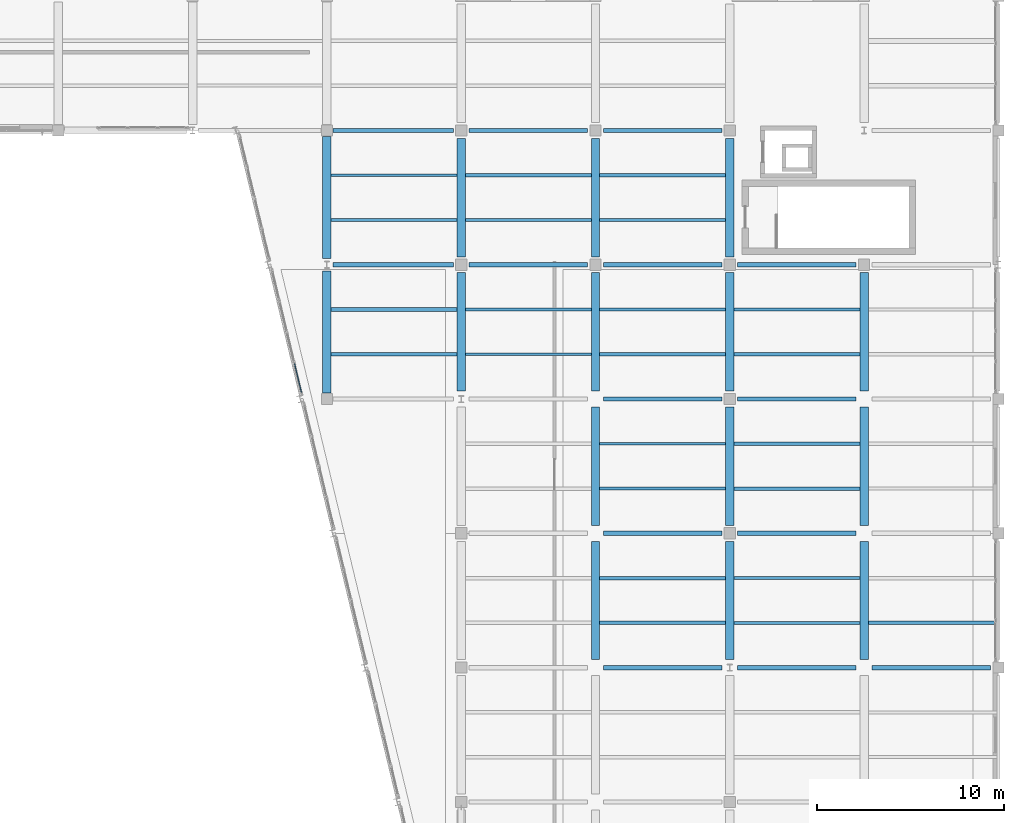
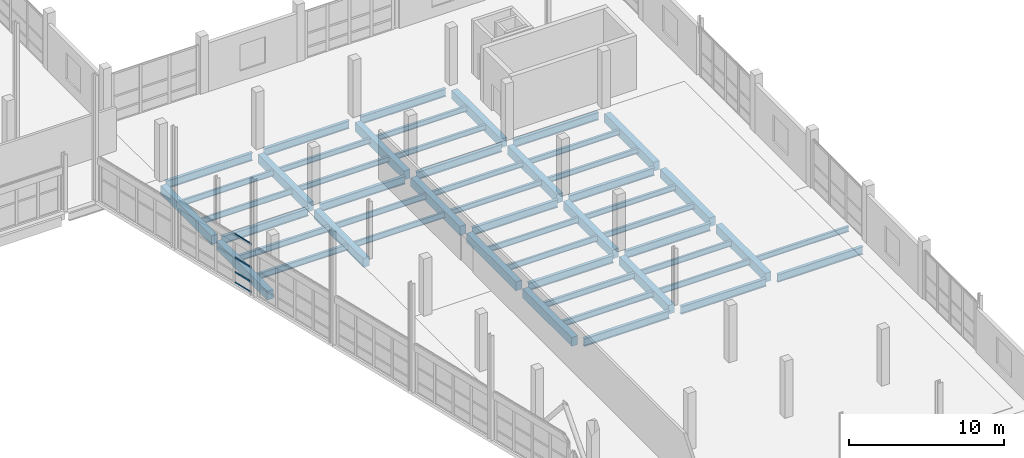
# One storey, part 66 of 123: 52 beams, 4 members, 1 element without a shape of its own.
"""IFC4 building model written with IfcOpenShell, lengths in metres."""

from ifc_helpers import new_model, si_unit, direction, frame, origin, origin_2d, place, context, subcontext, project, spatial, rectangle, hollow_rectangle, i_section, extrude, material, material_profile, profile_set, type_object, element, aggregate, save


model = new_model("IFC4")

# Units and contexts
model_context = context("Model", 3, precision=1e-05, world=origin(), true_north=direction((0.0, 1.0)))
body_context = subcontext(model_context, "Body", "Model", "MODEL_VIEW")
ifc_project = project(units=[si_unit("LENGTHUNIT", "METRE"), si_unit("AREAUNIT", "SQUARE_METRE"), si_unit("VOLUMEUNIT", "CUBIC_METRE"), si_unit("PLANEANGLEUNIT", "RADIAN"), si_unit("MASSUNIT", "GRAM", prefix="KILO")], contexts=[model_context])

# Site, building, storey
site_placement = place(None, origin())
site = spatial("IfcSite", under=ifc_project, at=site_placement, CompositionType="ELEMENT")
building_placement = place(site_placement, origin())
building = spatial("IfcBuilding", under=site, at=building_placement, Name="Kalmorath City Hall", CompositionType="ELEMENT")
storey_placement = place(building_placement, frame((0.0, 0.0, 10.199951171875)))
storey = spatial("IfcBuildingStorey", under=building, at=storey_placement, Name="L02", CompositionType="ELEMENT", Elevation=10.199951171875)

# Beams
ifc_material_1 = material(Name="Concrete C40/50", Category="concrete")
ifc_material_profile_1 = material_profile(ifc_material_1, rectangle(XDim=0.449951171875, YDim=0.699951171875, at=origin_2d()), Name="RC-BM-450X700")
ifc_profile_set_1 = profile_set([ifc_material_profile_1], Name="Concrete C40/50")
beam_type_1 = type_object("IfcBeamType", Name="Concrete floor beam 450x700", PredefinedType="BEAM", material=ifc_profile_set_1)
beam_1_placement = place(storey_placement, frame((129.60009765625, 79.52490234375, -0.634033203125), z_axis=(0.0, 1.0, 0.0), x_axis=(-1.0, 0.0, 0.0)))
element("IfcBeam", 1, at=beam_1_placement, inside=storey, type_object=beam_type_1, Name="L02 girder CB4 Y19/12-13", PredefinedType="BEAM", context=body_context, shape_type="SweptSolid", body=[
    extrude(rectangle(XDim=0.449951171875, YDim=0.699951171875, at=origin_2d()), origin(), (0.0, 0.0, 1.0), 6.550048828125),
])
beam_2_placement = place(storey_placement, frame((129.60009765625, 86.72509765625, -0.634033203125), z_axis=(0.0, 1.0, 0.0), x_axis=(-1.0, 0.0, 0.0)))
element("IfcBeam", 2, at=beam_2_placement, inside=storey, type_object=beam_type_1, Name="L02 girder CB4 Y19/13-14", PredefinedType="BEAM", context=body_context, shape_type="SweptSolid", body=[
    extrude(rectangle(XDim=0.449951171875, YDim=0.699951171875, at=origin_2d()), origin(), (0.0, 0.0, 1.0), 6.5498046875),
])
for number, where, z_axis, x_axis, name in (
    (3, (136.800048828125, 79.625, -0.634033203125), (0.0, 1.0, 0.0), (-1.0, 0.0, 0.0), "L02 girder CB4 Y20/12-13"),
    (4, (136.800048828125, 86.824951171875, -0.634033203125), (0.0, 1.0, 0.0), (-1.0, 0.0, 0.0), "L02 girder CB4 Y20/13-14"),
):
    element("IfcBeam", number, at=place(storey_placement, frame(where, z_axis=z_axis, x_axis=x_axis)), inside=storey, type_object=beam_type_1, Name=name, PredefinedType="BEAM", context=body_context, shape_type="SweptSolid", body=[
        extrude(rectangle(XDim=0.449951171875, YDim=0.699951171875, at=origin_2d()), origin(), (0.0, 0.0, 1.0), 6.35009765625),
    ])
for number, where, z_axis, x_axis, name in (
    (5, (144.0, 65.22509765625, -0.634033203125), (0.0, 1.0, 0.0), (-1.0, 0.0, 0.0), "L02 girder CB4 Y21/10-11"),
    (6, (144.0, 72.425048828125, -0.634033203125), (0.0, 1.0, 0.0), (-1.0, 0.0, 0.0), "L02 girder CB4 Y21/11-12"),
):
    element("IfcBeam", number, at=place(storey_placement, frame(where, z_axis=z_axis, x_axis=x_axis)), inside=storey, type_object=beam_type_1, Name=name, PredefinedType="BEAM", context=body_context, shape_type="SweptSolid", body=[
        extrude(rectangle(XDim=0.449951171875, YDim=0.699951171875, at=origin_2d()), origin(), (0.0, 0.0, 1.0), 6.349853515625),
    ])
for number, where, z_axis, x_axis, name in (
    (7, (144.0, 79.625, -0.634033203125), (0.0, 1.0, 0.0), (-1.0, 0.0, 0.0), "L02 girder CB4 Y21/12-13"),
    (8, (144.0, 86.824951171875, -0.634033203125), (0.0, 1.0, 0.0), (-1.0, 0.0, 0.0), "L02 girder CB4 Y21/13-14"),
):
    element("IfcBeam", number, at=place(storey_placement, frame(where, z_axis=z_axis, x_axis=x_axis)), inside=storey, type_object=beam_type_1, Name=name, PredefinedType="BEAM", context=body_context, shape_type="SweptSolid", body=[
        extrude(rectangle(XDim=0.449951171875, YDim=0.699951171875, at=origin_2d()), origin(), (0.0, 0.0, 1.0), 6.35009765625),
    ])
for number, where, z_axis, x_axis, name in (
    (9, (151.199951171875, 65.22509765625, -0.634033203125), (0.0, 1.0, 0.0), (-1.0, 0.0, 0.0), "L02 girder CB4 Y22/10-11"),
    (10, (151.199951171875, 72.425048828125, -0.634033203125), (0.0, 1.0, 0.0), (-1.0, 0.0, 0.0), "L02 girder CB4 Y22/11-12"),
):
    element("IfcBeam", number, at=place(storey_placement, frame(where, z_axis=z_axis, x_axis=x_axis)), inside=storey, type_object=beam_type_1, Name=name, PredefinedType="BEAM", context=body_context, shape_type="SweptSolid", body=[
        extrude(rectangle(XDim=0.449951171875, YDim=0.699951171875, at=origin_2d()), origin(), (0.0, 0.0, 1.0), 6.349853515625),
    ])
for number, where, z_axis, x_axis, name in (
    (11, (151.199951171875, 79.625, -0.634033203125), (0.0, 1.0, 0.0), (-1.0, 0.0, 0.0), "L02 girder CB4 Y22/12-13"),
    (12, (151.199951171875, 86.824951171875, -0.634033203125), (0.0, 1.0, 0.0), (-1.0, 0.0, 0.0), "L02 girder CB4 Y22/13-14"),
):
    element("IfcBeam", number, at=place(storey_placement, frame(where, z_axis=z_axis, x_axis=x_axis)), inside=storey, type_object=beam_type_1, Name=name, PredefinedType="BEAM", context=body_context, shape_type="SweptSolid", body=[
        extrude(rectangle(XDim=0.449951171875, YDim=0.699951171875, at=origin_2d()), origin(), (0.0, 0.0, 1.0), 6.35009765625),
    ])
for number, where, z_axis, x_axis, name in (
    (13, (158.39990234375, 65.22509765625, -0.634033203125), (0.0, 1.0, 0.0), (-1.0, 0.0, 0.0), "L02 girder CB4 Y23/10-11"),
    (14, (158.39990234375, 72.425048828125, -0.634033203125), (0.0, 1.0, 0.0), (-1.0, 0.0, 0.0), "L02 girder CB4 Y23/11-12"),
):
    element("IfcBeam", number, at=place(storey_placement, frame(where, z_axis=z_axis, x_axis=x_axis)), inside=storey, type_object=beam_type_1, Name=name, PredefinedType="BEAM", context=body_context, shape_type="SweptSolid", body=[
        extrude(rectangle(XDim=0.449951171875, YDim=0.699951171875, at=origin_2d()), origin(), (0.0, 0.0, 1.0), 6.349853515625),
    ])
beam_3_placement = place(storey_placement, frame((158.39990234375, 79.625, -0.634033203125), z_axis=(0.0, 1.0, 0.0), x_axis=(-1.0, 0.0, 0.0)))
element("IfcBeam", 15, at=beam_3_placement, inside=storey, type_object=beam_type_1, Name="L02 girder CB4 Y23/12-13", PredefinedType="BEAM", context=body_context, shape_type="SweptSolid", body=[
    extrude(rectangle(XDim=0.449951171875, YDim=0.699951171875, at=origin_2d()), origin(), (0.0, 0.0, 1.0), 6.35009765625),
])

# Curtain wall, members
ifc_material_2 = material(Name="Anodised aluminium and laminated glass", Category="aluminium")
curtain_wall_type = type_object("IfcCurtainWallType", Name="Unitised hurricane curtain wall 6849x3835 M1850", PredefinedType="NOTDEFINED", material=ifc_material_2)
curtain_wall_placement = place(storey_placement, origin())
curtain_wall = element("IfcCurtainWall", 16, at=curtain_wall_placement, inside=storey, type_object=curtain_wall_type, Name="L02 curtain wall CW-68X38M18 #130", PredefinedType="NOTDEFINED")
ifc_material_3 = material(Name="Anodised aluminium framing", Category="aluminium")
ifc_material_profile_2 = material_profile(ifc_material_3, hollow_rectangle(XDim=0.06005859375, YDim=0.1298828125, WallThickness=0.00341796875, InnerFilletRadius=0.00341796875, OuterFilletRadius=0.007080078125, at=origin_2d()), Name="ALU-TRN-130X60X3.5")
ifc_profile_set_2 = profile_set([ifc_material_profile_2], Name="Anodised aluminium framing")
member_type = type_object("IfcMemberType", Name="Curtain-wall courtyard transom 130x60", PredefinedType="USERDEFINED", material=ifc_profile_set_2)
member_1_placement = place(storey_placement, frame((128.239013671875, 79.54296875, 0.030029296875), z_axis=(-0.233332550128, 0.972396997656, 0.0), x_axis=(-0.972396997656, -0.233332550128, 0.0)))
member_1 = element("IfcMember", 17, at=member_1_placement, type_object=member_type, Name="CW-68X38M18 transom 1.1", ObjectType="TRANSOM", PredefinedType="USERDEFINED", context=body_context, shape_type="SweptSolid", body=[
    extrude(hollow_rectangle(XDim=0.06005859375, YDim=0.1298828125, WallThickness=0.00341796875, InnerFilletRadius=0.00341796875, OuterFilletRadius=0.007080078125, at=origin_2d()), origin(), (0.0, 0.0, 1.0), 1.599853515625),
])
member_2_placement = place(storey_placement, frame((128.239013671875, 79.54296875, 0.85009765625), z_axis=(-0.233332550128, 0.972396997656, 0.0), x_axis=(-0.972396997656, -0.233332550128, 0.0)))
member_2 = element("IfcMember", 18, at=member_2_placement, type_object=member_type, Name="CW-68X38M18 transom 1.2", ObjectType="TRANSOM", PredefinedType="USERDEFINED", context=body_context, shape_type="SweptSolid", body=[
    extrude(hollow_rectangle(XDim=0.06005859375, YDim=0.1298828125, WallThickness=0.00341796875, InnerFilletRadius=0.00341796875, OuterFilletRadius=0.007080078125, at=origin_2d()), origin(), (0.0, 0.0, 1.0), 1.599853515625),
])
member_3_placement = place(storey_placement, frame((128.239013671875, 79.54296875, 1.994140625), z_axis=(-0.233332550128, 0.972396997656, 0.0), x_axis=(-0.972396997656, -0.233332550128, 0.0)))
member_3 = element("IfcMember", 19, at=member_3_placement, type_object=member_type, Name="CW-68X38M18 transom 1.3", ObjectType="TRANSOM", PredefinedType="USERDEFINED", context=body_context, shape_type="SweptSolid", body=[
    extrude(hollow_rectangle(XDim=0.06005859375, YDim=0.1298828125, WallThickness=0.00341796875, InnerFilletRadius=0.00341796875, OuterFilletRadius=0.007080078125, at=origin_2d()), origin(), (0.0, 0.0, 1.0), 1.599853515625),
])
member_4_placement = place(storey_placement, frame((128.239013671875, 79.54296875, 3.804931640625), z_axis=(-0.233332550128, 0.972396997656, 0.0), x_axis=(-0.972396997656, -0.233332550128, 0.0)))
member_4 = element("IfcMember", 20, at=member_4_placement, type_object=member_type, Name="CW-68X38M18 transom 1.4", ObjectType="TRANSOM", PredefinedType="USERDEFINED", context=body_context, shape_type="SweptSolid", body=[
    extrude(hollow_rectangle(XDim=0.06005859375, YDim=0.1298828125, WallThickness=0.00341796875, InnerFilletRadius=0.00341796875, OuterFilletRadius=0.007080078125, at=origin_2d()), origin(), (0.0, 0.0, 1.0), 1.599853515625),
])
aggregate(curtain_wall, [member_1, member_2, member_3, member_4])

# Beams
ifc_material_4 = material(Name="Steel ASTM A992 Grade 50", Category="steel")
ifc_material_profile_3 = material_profile(ifc_material_4, i_section(OverallWidth=0.178955078125, OverallDepth=0.409912109375, WebThickness=0.0087890625, FlangeThickness=0.014404296875, FilletRadius=0.012939453125, at=origin_2d()), Name="W16X45")
ifc_profile_set_3 = profile_set([ifc_material_profile_3], Name="Steel ASTM A992 Grade 50")
beam_type_2 = type_object("IfcBeamType", Name="Steel composite joist W16X45", PredefinedType="JOIST", material=ifc_profile_set_3)
for number, where, z_axis, x_axis, name in (
    (21, (144.22509765625, 88.800048828125, -0.489013671875), (1.0, 0.0, 0.0), (0.0, 1.0, 0.0), "L02 joist SJ6 21.13.1"),
    (22, (144.22509765625, 91.199951171875, -0.489013671875), (1.0, 0.0, 0.0), (0.0, 1.0, 0.0), "L02 joist SJ6 21.13.2"),
    (23, (151.425048828125, 81.60009765625, -0.489013671875), (1.0, 0.0, 0.0), (0.0, 1.0, 0.0), "L02 joist SJ6 22.12.1"),
    (24, (151.425048828125, 84.0, -0.489013671875), (1.0, 0.0, 0.0), (0.0, 1.0, 0.0), "L02 joist SJ6 22.12.2"),
):
    element("IfcBeam", number, at=place(storey_placement, frame(where, z_axis=z_axis, x_axis=x_axis)), inside=storey, type_object=beam_type_2, Name=name, PredefinedType="JOIST", context=body_context, shape_type="SweptSolid", body=[
        extrude(i_section(OverallWidth=0.178955078125, OverallDepth=0.409912109375, WebThickness=0.0087890625, FlangeThickness=0.014404296875, FilletRadius=0.012939453125, at=origin_2d()), origin(), (0.0, 0.0, 1.0), 6.75),
    ])
ifc_material_5 = material(Name="Steel ASTM A992 Grade 50", Category="steel")
ifc_material_profile_4 = material_profile(ifc_material_5, i_section(OverallWidth=0.180908203125, OverallDepth=0.4169921875, WebThickness=0.010986328125, FlangeThickness=0.018310546875, FilletRadius=0.012939453125, at=origin_2d()), Name="W16X57")
ifc_profile_set_4 = profile_set([ifc_material_profile_4], Name="Steel ASTM A992 Grade 50")
beam_type_3 = type_object("IfcBeamType", Name="Steel composite joist W16X57", PredefinedType="JOIST", material=ifc_profile_set_4)
for number, where, z_axis, x_axis, name in (
    (25, (137.02490234375, 88.800048828125, -0.492431640625), (1.0, 0.0, 0.0), (0.0, 1.0, 0.0), "L02 joist SJ5 20.13.1"),
    (26, (137.02490234375, 91.199951171875, -0.492431640625), (1.0, 0.0, 0.0), (0.0, 1.0, 0.0), "L02 joist SJ5 20.13.2"),
    (27, (144.22509765625, 81.60009765625, -0.492431640625), (1.0, 0.0, 0.0), (0.0, 1.0, 0.0), "L02 joist SJ5 21.12.1"),
    (28, (144.22509765625, 84.0, -0.492431640625), (1.0, 0.0, 0.0), (0.0, 1.0, 0.0), "L02 joist SJ5 21.12.2"),
    (29, (151.425048828125, 74.39990234375, -0.492431640625), (1.0, 0.0, 0.0), (0.0, 1.0, 0.0), "L02 joist SJ5 22.11.1"),
    (30, (151.425048828125, 76.800048828125, -0.492431640625), (1.0, 0.0, 0.0), (0.0, 1.0, 0.0), "L02 joist SJ5 22.11.2"),
):
    element("IfcBeam", number, at=place(storey_placement, frame(where, z_axis=z_axis, x_axis=x_axis)), inside=storey, type_object=beam_type_3, Name=name, PredefinedType="JOIST", context=body_context, shape_type="SweptSolid", body=[
        extrude(i_section(OverallWidth=0.180908203125, OverallDepth=0.4169921875, WebThickness=0.010986328125, FlangeThickness=0.018310546875, FilletRadius=0.012939453125, at=origin_2d()), origin(), (0.0, 0.0, 1.0), 6.75),
    ])
beam_4_placement = place(storey_placement, frame((158.625, 67.199951171875, -0.492431640625), z_axis=(1.0, 0.0, 0.0), x_axis=(0.0, 1.0, 0.0)))
element("IfcBeam", 31, at=beam_4_placement, inside=storey, type_object=beam_type_3, Name="L02 joist SJ5 23.10.1", PredefinedType="JOIST", context=body_context, shape_type="SweptSolid", body=[
    extrude(i_section(OverallWidth=0.180908203125, OverallDepth=0.4169921875, WebThickness=0.010986328125, FlangeThickness=0.018310546875, FilletRadius=0.012939453125, at=origin_2d()), origin(), (0.0, 0.0, 1.0), 6.892578125),
])
ifc_material_6 = material(Name="Steel ASTM A992 Grade 50", Category="steel")
ifc_material_profile_5 = material_profile(ifc_material_6, i_section(OverallWidth=0.153076171875, OverallDepth=0.455078125, WebThickness=0.008056640625, FlangeThickness=0.01318359375, FilletRadius=0.013916015625, at=origin_2d()), Name="W18X40")
ifc_profile_set_5 = profile_set([ifc_material_profile_5], Name="Steel ASTM A992 Grade 50")
beam_type_4 = type_object("IfcBeamType", Name="Steel composite joist W18X40", PredefinedType="JOIST", material=ifc_profile_set_5)
for number, where, z_axis, x_axis, name in (
    (32, (129.824951171875, 88.800048828125, -0.511474609375), (1.0, 0.0, 0.0), (0.0, 1.0, 0.0), "L02 joist SJ4 19.13.1"),
    (33, (129.824951171875, 91.199951171875, -0.511474609375), (1.0, 0.0, 0.0), (0.0, 1.0, 0.0), "L02 joist SJ4 19.13.2"),
    (34, (137.02490234375, 81.60009765625, -0.511474609375), (1.0, 0.0, 0.0), (0.0, 1.0, 0.0), "L02 joist SJ4 20.12.1"),
    (35, (137.02490234375, 84.0, -0.511474609375), (1.0, 0.0, 0.0), (0.0, 1.0, 0.0), "L02 joist SJ4 20.12.2"),
    (36, (144.22509765625, 74.39990234375, -0.511474609375), (1.0, 0.0, 0.0), (0.0, 1.0, 0.0), "L02 joist SJ4 21.11.1"),
    (37, (144.22509765625, 76.800048828125, -0.511474609375), (1.0, 0.0, 0.0), (0.0, 1.0, 0.0), "L02 joist SJ4 21.11.2"),
    (38, (151.425048828125, 67.199951171875, -0.511474609375), (1.0, 0.0, 0.0), (0.0, 1.0, 0.0), "L02 joist SJ4 22.10.1"),
    (39, (151.425048828125, 69.60009765625, -0.511474609375), (1.0, 0.0, 0.0), (0.0, 1.0, 0.0), "L02 joist SJ4 22.10.2"),
):
    element("IfcBeam", number, at=place(storey_placement, frame(where, z_axis=z_axis, x_axis=x_axis)), inside=storey, type_object=beam_type_4, Name=name, PredefinedType="JOIST", context=body_context, shape_type="SweptSolid", body=[
        extrude(i_section(OverallWidth=0.153076171875, OverallDepth=0.455078125, WebThickness=0.008056640625, FlangeThickness=0.01318359375, FilletRadius=0.013916015625, at=origin_2d()), origin(), (0.0, 0.0, 1.0), 6.75),
    ])
ifc_material_7 = material(Name="Steel ASTM A992 Grade 50", Category="steel")
ifc_material_profile_6 = material_profile(ifc_material_7, i_section(OverallWidth=0.19091796875, OverallDepth=0.45703125, WebThickness=0.009033203125, FlangeThickness=0.014404296875, FilletRadius=0.013916015625, at=origin_2d()), Name="W18X50")
ifc_profile_set_6 = profile_set([ifc_material_profile_6], Name="Steel ASTM A992 Grade 50")
beam_type_5 = type_object("IfcBeamType", Name="Steel composite joist W18X50", PredefinedType="JOIST", material=ifc_profile_set_6)
for number, where, z_axis, x_axis, name in (
    (40, (129.824951171875, 81.60009765625, -0.512451171875), (1.0, 0.0, 0.0), (0.0, 1.0, 0.0), "L02 joist SJ3 19.12.1"),
    (41, (129.824951171875, 84.0, -0.512451171875), (1.0, 0.0, 0.0), (0.0, 1.0, 0.0), "L02 joist SJ3 19.12.2"),
    (42, (144.22509765625, 67.199951171875, -0.512451171875), (1.0, 0.0, 0.0), (0.0, 1.0, 0.0), "L02 joist SJ3 21.10.1"),
    (43, (144.22509765625, 69.60009765625, -0.512451171875), (1.0, 0.0, 0.0), (0.0, 1.0, 0.0), "L02 joist SJ3 21.10.2"),
):
    element("IfcBeam", number, at=place(storey_placement, frame(where, z_axis=z_axis, x_axis=x_axis)), inside=storey, type_object=beam_type_5, Name=name, PredefinedType="JOIST", context=body_context, shape_type="SweptSolid", body=[
        extrude(i_section(OverallWidth=0.19091796875, OverallDepth=0.45703125, WebThickness=0.009033203125, FlangeThickness=0.014404296875, FilletRadius=0.013916015625, at=origin_2d()), origin(), (0.0, 0.0, 1.0), 6.75),
    ])
ifc_material_8 = material(Name="Steel ASTM A992 Grade 50", Category="steel")
ifc_material_profile_7 = material_profile(ifc_material_8, i_section(OverallWidth=0.22900390625, OverallDepth=0.612060546875, WebThickness=0.011962890625, FlangeThickness=0.01953125, FilletRadius=0.01611328125, at=origin_2d()), Name="W24X84")
ifc_profile_set_7 = profile_set([ifc_material_profile_7], Name="Steel ASTM A992 Grade 50")
beam_type_6 = type_object("IfcBeamType", Name="Steel floor girder W24X84", PredefinedType="BEAM", material=ifc_profile_set_7)
beam_5_placement = place(storey_placement, frame((144.425048828125, 64.800048828125, -0.58984375), z_axis=(1.0, 0.0, 0.0), x_axis=(0.0, 1.0, 0.0)))
element("IfcBeam", 44, at=beam_5_placement, inside=storey, type_object=beam_type_6, Name="L02 girder SG8 X21-22/10", PredefinedType="BEAM", context=body_context, shape_type="SweptSolid", body=[
    extrude(i_section(OverallWidth=0.22900390625, OverallDepth=0.612060546875, WebThickness=0.011962890625, FlangeThickness=0.01953125, FilletRadius=0.01611328125, at=origin_2d()), origin(), (0.0, 0.0, 1.0), 6.349853515625),
])
for number, where, z_axis, x_axis, name in (
    (45, (151.625, 64.800048828125, -0.58984375), (1.0, 0.0, 0.0), (0.0, 1.0, 0.0), "L02 girder SG8 X22-23/10"),
    (46, (158.824951171875, 64.800048828125, -0.58984375), (1.0, 0.0, 0.0), (0.0, 1.0, 0.0), "L02 girder SG8 X23-24/10"),
):
    element("IfcBeam", number, at=place(storey_placement, frame(where, z_axis=z_axis, x_axis=x_axis)), inside=storey, type_object=beam_type_6, Name=name, PredefinedType="BEAM", context=body_context, shape_type="SweptSolid", body=[
        extrude(i_section(OverallWidth=0.22900390625, OverallDepth=0.612060546875, WebThickness=0.011962890625, FlangeThickness=0.01953125, FilletRadius=0.01611328125, at=origin_2d()), origin(), (0.0, 0.0, 1.0), 6.35009765625),
    ])
beam_6_placement = place(storey_placement, frame((144.425048828125, 72.0, -0.58984375), z_axis=(1.0, 0.0, 0.0), x_axis=(0.0, 1.0, 0.0)))
element("IfcBeam", 47, at=beam_6_placement, inside=storey, type_object=beam_type_6, Name="L02 girder SG8 X21-22/11", PredefinedType="BEAM", context=body_context, shape_type="SweptSolid", body=[
    extrude(i_section(OverallWidth=0.22900390625, OverallDepth=0.612060546875, WebThickness=0.011962890625, FlangeThickness=0.01953125, FilletRadius=0.01611328125, at=origin_2d()), origin(), (0.0, 0.0, 1.0), 6.349853515625),
])
beam_7_placement = place(storey_placement, frame((151.625, 72.0, -0.58984375), z_axis=(1.0, 0.0, 0.0), x_axis=(0.0, 1.0, 0.0)))
element("IfcBeam", 48, at=beam_7_placement, inside=storey, type_object=beam_type_6, Name="L02 girder SG8 X22-23/11", PredefinedType="BEAM", context=body_context, shape_type="SweptSolid", body=[
    extrude(i_section(OverallWidth=0.22900390625, OverallDepth=0.612060546875, WebThickness=0.011962890625, FlangeThickness=0.01953125, FilletRadius=0.01611328125, at=origin_2d()), origin(), (0.0, 0.0, 1.0), 6.35009765625),
])
beam_8_placement = place(storey_placement, frame((144.425048828125, 79.199951171875, -0.58984375), z_axis=(1.0, 0.0, 0.0), x_axis=(0.0, 1.0, 0.0)))
element("IfcBeam", 49, at=beam_8_placement, inside=storey, type_object=beam_type_6, Name="L02 girder SG8 X21-22/12", PredefinedType="BEAM", context=body_context, shape_type="SweptSolid", body=[
    extrude(i_section(OverallWidth=0.22900390625, OverallDepth=0.612060546875, WebThickness=0.011962890625, FlangeThickness=0.01953125, FilletRadius=0.01611328125, at=origin_2d()), origin(), (0.0, 0.0, 1.0), 6.349853515625),
])
beam_9_placement = place(storey_placement, frame((151.625, 79.199951171875, -0.58984375), z_axis=(1.0, 0.0, 0.0), x_axis=(0.0, 1.0, 0.0)))
element("IfcBeam", 50, at=beam_9_placement, inside=storey, type_object=beam_type_6, Name="L02 girder SG8 X22-23/12", PredefinedType="BEAM", context=body_context, shape_type="SweptSolid", body=[
    extrude(i_section(OverallWidth=0.22900390625, OverallDepth=0.612060546875, WebThickness=0.011962890625, FlangeThickness=0.01953125, FilletRadius=0.01611328125, at=origin_2d()), origin(), (0.0, 0.0, 1.0), 6.35009765625),
])
beam_10_placement = place(storey_placement, frame((129.925048828125, 86.39990234375, -0.58984375), z_axis=(1.0, 0.0, 0.0), x_axis=(0.0, 1.0, 0.0)))
element("IfcBeam", 51, at=beam_10_placement, inside=storey, type_object=beam_type_6, Name="L02 girder SG8 X19-20/13", PredefinedType="BEAM", context=body_context, shape_type="SweptSolid", body=[
    extrude(i_section(OverallWidth=0.22900390625, OverallDepth=0.612060546875, WebThickness=0.011962890625, FlangeThickness=0.01953125, FilletRadius=0.01611328125, at=origin_2d()), origin(), (0.0, 0.0, 1.0), 6.449951171875),
])
for number, where, z_axis, x_axis, name in (
    (52, (137.22509765625, 86.39990234375, -0.58984375), (1.0, 0.0, 0.0), (0.0, 1.0, 0.0), "L02 girder SG8 X20-21/13"),
    (53, (144.425048828125, 86.39990234375, -0.58984375), (1.0, 0.0, 0.0), (0.0, 1.0, 0.0), "L02 girder SG8 X21-22/13"),
):
    element("IfcBeam", number, at=place(storey_placement, frame(where, z_axis=z_axis, x_axis=x_axis)), inside=storey, type_object=beam_type_6, Name=name, PredefinedType="BEAM", context=body_context, shape_type="SweptSolid", body=[
        extrude(i_section(OverallWidth=0.22900390625, OverallDepth=0.612060546875, WebThickness=0.011962890625, FlangeThickness=0.01953125, FilletRadius=0.01611328125, at=origin_2d()), origin(), (0.0, 0.0, 1.0), 6.349853515625),
    ])
beam_11_placement = place(storey_placement, frame((151.625, 86.39990234375, -0.58984375), z_axis=(1.0, 0.0, 0.0), x_axis=(0.0, 1.0, 0.0)))
element("IfcBeam", 54, at=beam_11_placement, inside=storey, type_object=beam_type_6, Name="L02 girder SG8 X22-23/13", PredefinedType="BEAM", context=body_context, shape_type="SweptSolid", body=[
    extrude(i_section(OverallWidth=0.22900390625, OverallDepth=0.612060546875, WebThickness=0.011962890625, FlangeThickness=0.01953125, FilletRadius=0.01611328125, at=origin_2d()), origin(), (0.0, 0.0, 1.0), 6.35009765625),
])
beam_12_placement = place(storey_placement, frame((129.925048828125, 93.60009765625, -0.58984375), z_axis=(1.0, 0.0, 0.0), x_axis=(0.0, 1.0, 0.0)))
element("IfcBeam", 55, at=beam_12_placement, inside=storey, type_object=beam_type_6, Name="L02 girder SG8 X19-20/14", PredefinedType="BEAM", context=body_context, shape_type="SweptSolid", body=[
    extrude(i_section(OverallWidth=0.22900390625, OverallDepth=0.612060546875, WebThickness=0.011962890625, FlangeThickness=0.01953125, FilletRadius=0.01611328125, at=origin_2d()), origin(), (0.0, 0.0, 1.0), 6.449951171875),
])
for number, where, z_axis, x_axis, name in (
    (56, (137.22509765625, 93.60009765625, -0.58984375), (1.0, 0.0, 0.0), (0.0, 1.0, 0.0), "L02 girder SG8 X20-21/14"),
    (57, (144.425048828125, 93.60009765625, -0.58984375), (1.0, 0.0, 0.0), (0.0, 1.0, 0.0), "L02 girder SG8 X21-22/14"),
):
    element("IfcBeam", number, at=place(storey_placement, frame(where, z_axis=z_axis, x_axis=x_axis)), inside=storey, type_object=beam_type_6, Name=name, PredefinedType="BEAM", context=body_context, shape_type="SweptSolid", body=[
        extrude(i_section(OverallWidth=0.22900390625, OverallDepth=0.612060546875, WebThickness=0.011962890625, FlangeThickness=0.01953125, FilletRadius=0.01611328125, at=origin_2d()), origin(), (0.0, 0.0, 1.0), 6.349853515625),
    ])

save(model, "model.ifc")
